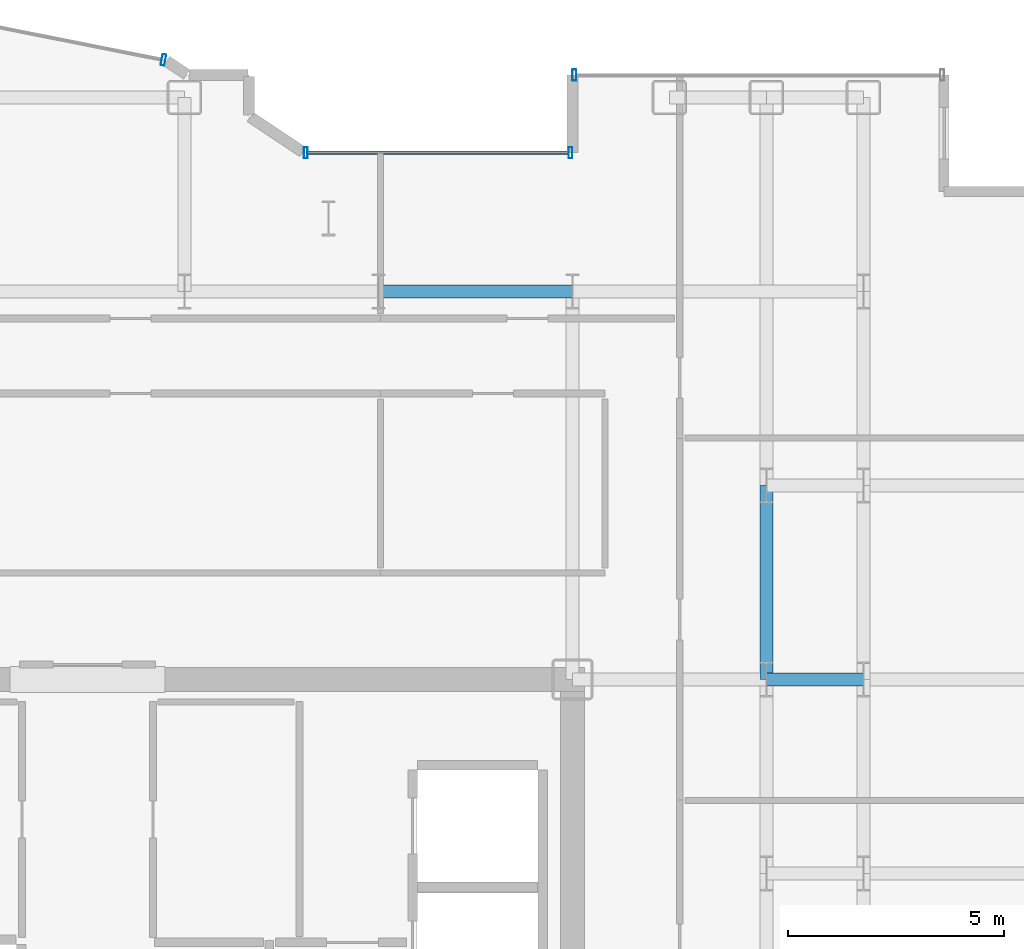
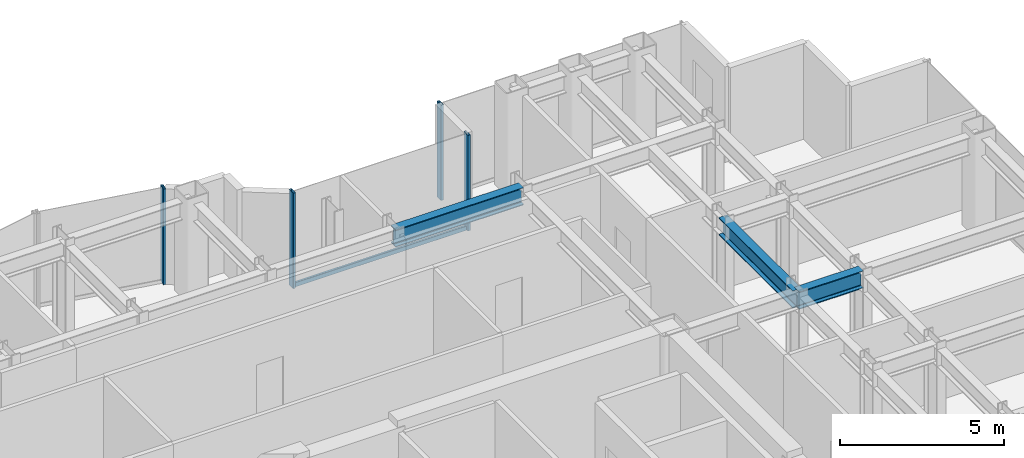
# One storey, part 16 of 26: 5 members, 3 beams, 3 elements without a shape of their own.
"""IFC4 building model written with IfcOpenShell, lengths in metres."""

from ifc_helpers import new_model, si_unit, direction, frame, origin, origin_2d, place, context, subcontext, project, spatial, hollow_rectangle, i_section, extrude, source, transform, mapped, material, layer, layer_set, material_profile, profile_set, type_object, element, aggregate, save


model = new_model("IFC4")

# Units and contexts
model_context = context("Model", 3, precision=1e-05, world=origin(), true_north=direction((0.0, 1.0)))
body_context = subcontext(model_context, "Body", "Model", "MODEL_VIEW")
ifc_project = project(units=[si_unit("LENGTHUNIT", "METRE"), si_unit("AREAUNIT", "SQUARE_METRE"), si_unit("VOLUMEUNIT", "CUBIC_METRE"), si_unit("PLANEANGLEUNIT", "RADIAN"), si_unit("MASSUNIT", "GRAM", prefix="KILO")], contexts=[model_context])

# Site, building, storey
site_placement = place(None, origin())
site = spatial("IfcSite", under=ifc_project, at=site_placement, CompositionType="ELEMENT")
building_placement = place(site_placement, origin())
building = spatial("IfcBuilding", under=site, at=building_placement, Name="Nefas-Gora Pilgrimage Tower", CompositionType="ELEMENT")
storey_placement = place(building_placement, frame((0.0, 0.0, 160.199951171875)))
storey = spatial("IfcBuildingStorey", under=building, at=storey_placement, Name="L39", CompositionType="ELEMENT", Elevation=160.199951171875)

# Beams
ifc_material_1 = material(Name="Steel S355", Category="steel")
ifc_material_profile_1 = material_profile(ifc_material_1, i_section(OverallWidth=0.300048828125, OverallDepth=0.64990234375, WebThickness=0.01611328125, FlangeThickness=0.031005859375, FilletRadius=0.027099609375, at=origin_2d()), Name="HEB 650")
ifc_profile_set_1 = profile_set([ifc_material_profile_1], Name="Steel S355")
beam_type = type_object("IfcBeamType", Name="BM-GIR-HEB650", PredefinedType="BEAM", material=ifc_profile_set_1)
shared_shape_1 = source(origin(), body_context, "Body", "SweptSolid", [
    extrude(i_section(OverallWidth=0.300048828125, OverallDepth=0.64990234375, WebThickness=0.01611328125, FlangeThickness=0.031005859375, FilletRadius=0.027099609375, at=origin_2d()), origin(), (0.0, 0.0, 1.0), 4.5),
])
for number, where, z_axis, x_axis, name in (
    (1, (6.75, 18.0, 3.22509765625), (1.0, 0.0, 0.0), (0.0, 1.0, 0.0), "L39 G-03 beam"),
    (2, (15.75, 9.0, 3.22509765625), (0.0, 1.0, 0.0), (-1.0, 0.0, 0.0), "L39 G-03 beam"),
):
    element("IfcBeam", number, at=place(storey_placement, frame(where, z_axis=z_axis, x_axis=x_axis)), inside=storey, type_object=beam_type, Name=name, PredefinedType="BEAM", context=body_context, shape_type="MappedRepresentation", body=[
        mapped(shared_shape_1, transform((0.0, 0.0, 0.0), x_axis=(1.0, 0.0, 0.0), y_axis=(0.0, 1.0, 0.0), z_axis=(0.0, 0.0, 1.0), scale=1.0)),
    ])
shared_shape_2 = source(origin(), body_context, "Body", "SweptSolid", [
    extrude(i_section(OverallWidth=0.300048828125, OverallDepth=0.64990234375, WebThickness=0.01611328125, FlangeThickness=0.031005859375, FilletRadius=0.027099609375, at=origin_2d()), origin(), (0.0, 0.0, 1.0), 2.25),
])
beam_placement = place(storey_placement, frame((15.75, 9.0, 3.22509765625), z_axis=(1.0, 0.0, 0.0), x_axis=(0.0, 1.0, 0.0)))
element("IfcBeam", 3, at=beam_placement, inside=storey, type_object=beam_type, Name="L39 G-03 beam", PredefinedType="BEAM", context=body_context, shape_type="MappedRepresentation", body=[
    mapped(shared_shape_2, transform((0.0, 0.0, 0.0), x_axis=(1.0, 0.0, 0.0), y_axis=(0.0, 1.0, 0.0), z_axis=(0.0, 0.0, 1.0), scale=1.0)),
])

# Curtain wall, members
ifc_material_2 = material(Name="Dark ceramic-fritted solar-control aluminium-glass curtain wall", Category="aluminium")
ifc_layer_1 = layer(ifc_material_2, 0.219970703125)
ifc_layer_set_1 = layer_set([ifc_layer_1], Name="Dark ceramic-fritted solar-control aluminium-glass curtain wall")
curtain_wall_type_1 = type_object("IfcCurtainWallType", Name="CW-SYS-5", PredefinedType="NOTDEFINED", material=ifc_layer_set_1)
curtain_wall_1_placement = place(storey_placement, origin())
curtain_wall_1 = element("IfcCurtainWall", 4, at=curtain_wall_1_placement, inside=storey, type_object=curtain_wall_type_1, Name="L39 Unitised Curtain Wall CW5", PredefinedType="NOTDEFINED")
ifc_material_3 = material(Name="Anodised architectural aluminium", Category="aluminium")
ifc_material_profile_2 = material_profile(ifc_material_3, hollow_rectangle(XDim=0.090087890625, YDim=0.260009765625, WallThickness=0.006103515625, InnerFilletRadius=0.006103515625, OuterFilletRadius=0.011962890625, at=origin_2d()), Name="ALU MULLION 90x260")
ifc_profile_set_2 = profile_set([ifc_material_profile_2], Name="Anodised architectural aluminium")
member_type_1 = type_object("IfcMemberType", Name="CWM-MUL-5", PredefinedType="MULLION", material=ifc_profile_set_2)
shared_shape_3 = source(origin(), body_context, "Body", "SweptSolid", [
    extrude(hollow_rectangle(XDim=0.090087890625, YDim=0.260009765625, WallThickness=0.006103515625, InnerFilletRadius=0.006103515625, OuterFilletRadius=0.011962890625, at=origin_2d()), origin(), (0.0, 0.0, 1.0), 3.550048828125),
])
member_1_placement = place(storey_placement, frame((11.205078125, 21.219970703125, 0.0), z_axis=(0.0, 0.0, 1.0), x_axis=(-1.0, 0.0, 0.0)))
member_1 = element("IfcMember", 5, at=member_1_placement, type_object=member_type_1, Name="CW5 Mullion 1", PredefinedType="MULLION", context=body_context, shape_type="MappedRepresentation", body=[
    mapped(shared_shape_3, transform((0.0, 0.0, 0.0), x_axis=(1.0, 0.0, 0.0), y_axis=(0.0, 1.0, 0.0), z_axis=(0.0, 0.0, 1.0), scale=1.0)),
])
member_2_placement = place(storey_placement, frame((5.06298828125, 21.219970703125, 0.0), z_axis=(0.0, 0.0, 1.0), x_axis=(-1.0, 0.0, 0.0)))
member_2 = element("IfcMember", 6, at=member_2_placement, type_object=member_type_1, Name="CW5 Mullion 2", PredefinedType="MULLION", context=body_context, shape_type="MappedRepresentation", body=[
    mapped(shared_shape_3, transform((0.0, 0.0, 0.0), x_axis=(1.0, 0.0, 0.0), y_axis=(0.0, 1.0, 0.0), z_axis=(0.0, 0.0, 1.0), scale=1.0)),
])

# Curtain wall, member
curtain_wall_2_placement = place(storey_placement, origin())
curtain_wall_2 = element("IfcCurtainWall", 7, at=curtain_wall_2_placement, inside=storey, type_object=curtain_wall_type_1, Name="L39 Unitised Curtain Wall CW5", PredefinedType="NOTDEFINED")
member_3_placement = place(storey_placement, frame((1.76318359375, 23.3740234375, 0.0), z_axis=(0.0, 0.0, 1.0), x_axis=(-0.980782896852, 0.195102304554, 0.0)))
member_3 = element("IfcMember", 8, at=member_3_placement, type_object=member_type_1, Name="CW5 Mullion 1", PredefinedType="MULLION", context=body_context, shape_type="MappedRepresentation", body=[
    mapped(shared_shape_3, transform((0.0, 0.0, 0.0), x_axis=(1.0, 0.0, 0.0), y_axis=(0.0, 1.0, 0.0), z_axis=(0.0, 0.0, 1.0), scale=1.0)),
])
aggregate(curtain_wall_2, [member_3])

# Member
ifc_material_profile_3 = material_profile(ifc_material_3, hollow_rectangle(XDim=0.080078125, YDim=0.159912109375, WallThickness=0.00439453125, InnerFilletRadius=0.00439453125, OuterFilletRadius=0.009033203125, at=origin_2d()), Name="ALU TRANSOM 80x160")
ifc_profile_set_3 = profile_set([ifc_material_profile_3], Name="Anodised architectural aluminium")
member_type_2 = type_object("IfcMemberType", Name="CWM-TRN-5", PredefinedType="USERDEFINED", material=ifc_profile_set_3)
shared_shape_4 = source(origin(), body_context, "Body", "SweptSolid", [
    extrude(hollow_rectangle(XDim=0.080078125, YDim=0.159912109375, WallThickness=0.00439453125, InnerFilletRadius=0.00439453125, OuterFilletRadius=0.009033203125, at=origin_2d()), origin(), (0.0, 0.0, 1.0), 6.052001953125),
])
member_4_placement = place(storey_placement, frame((11.159912109375, 21.219970703125, 0.050048828125), z_axis=(-1.0, 0.0, 0.0), x_axis=(0.0, -1.0, 0.0)))
member_4 = element("IfcMember", 9, at=member_4_placement, type_object=member_type_2, Name="CW5 Spandrel Transom", ObjectType="TRANSOM", PredefinedType="USERDEFINED", context=body_context, shape_type="MappedRepresentation", body=[
    mapped(shared_shape_4, transform((0.0, 0.0, 0.0), x_axis=(1.0, 0.0, 0.0), y_axis=(0.0, 1.0, 0.0), z_axis=(0.0, 0.0, 1.0), scale=1.0)),
])

aggregate(curtain_wall_1, [member_1, member_2, member_4])

# Curtain wall, member
ifc_layer_2 = layer(ifc_material_2, 0.219970703125)
ifc_layer_set_2 = layer_set([ifc_layer_2], Name="Dark ceramic-fritted solar-control aluminium-glass curtain wall")
curtain_wall_type_2 = type_object("IfcCurtainWallType", Name="CW-SYS-3", PredefinedType="NOTDEFINED", material=ifc_layer_set_2)
curtain_wall_3_placement = place(storey_placement, origin())
curtain_wall_3 = element("IfcCurtainWall", 10, at=curtain_wall_3_placement, inside=storey, type_object=curtain_wall_type_2, Name="L39 Unitised Curtain Wall CW3", PredefinedType="NOTDEFINED")
ifc_material_profile_4 = material_profile(ifc_material_3, hollow_rectangle(XDim=0.090087890625, YDim=0.260009765625, WallThickness=0.006103515625, InnerFilletRadius=0.006103515625, OuterFilletRadius=0.011962890625, at=origin_2d()), Name="ALU MULLION 90x260")
ifc_profile_set_4 = profile_set([ifc_material_profile_4], Name="Anodised architectural aluminium")
member_type_3 = type_object("IfcMemberType", Name="CWM-MUL-3", PredefinedType="MULLION", material=ifc_profile_set_4)
shared_shape_5 = source(origin(), body_context, "Body", "SweptSolid", [
    extrude(hollow_rectangle(XDim=0.090087890625, YDim=0.260009765625, WallThickness=0.006103515625, InnerFilletRadius=0.006103515625, OuterFilletRadius=0.011962890625, at=origin_2d()), origin(), (0.0, 0.0, 1.0), 3.550048828125),
])
member_5_placement = place(storey_placement, frame((11.294921875, 23.02001953125, 0.0), z_axis=(0.0, 0.0, 1.0), x_axis=(-1.0, 0.0, 0.0)))
member_5 = element("IfcMember", 11, at=member_5_placement, type_object=member_type_3, Name="CW3 Mullion 2", PredefinedType="MULLION", context=body_context, shape_type="MappedRepresentation", body=[
    mapped(shared_shape_5, transform((0.0, 0.0, 0.0), x_axis=(1.0, 0.0, 0.0), y_axis=(0.0, 1.0, 0.0), z_axis=(0.0, 0.0, 1.0), scale=1.0)),
])
aggregate(curtain_wall_3, [member_5])

save(model, "model.ifc")
